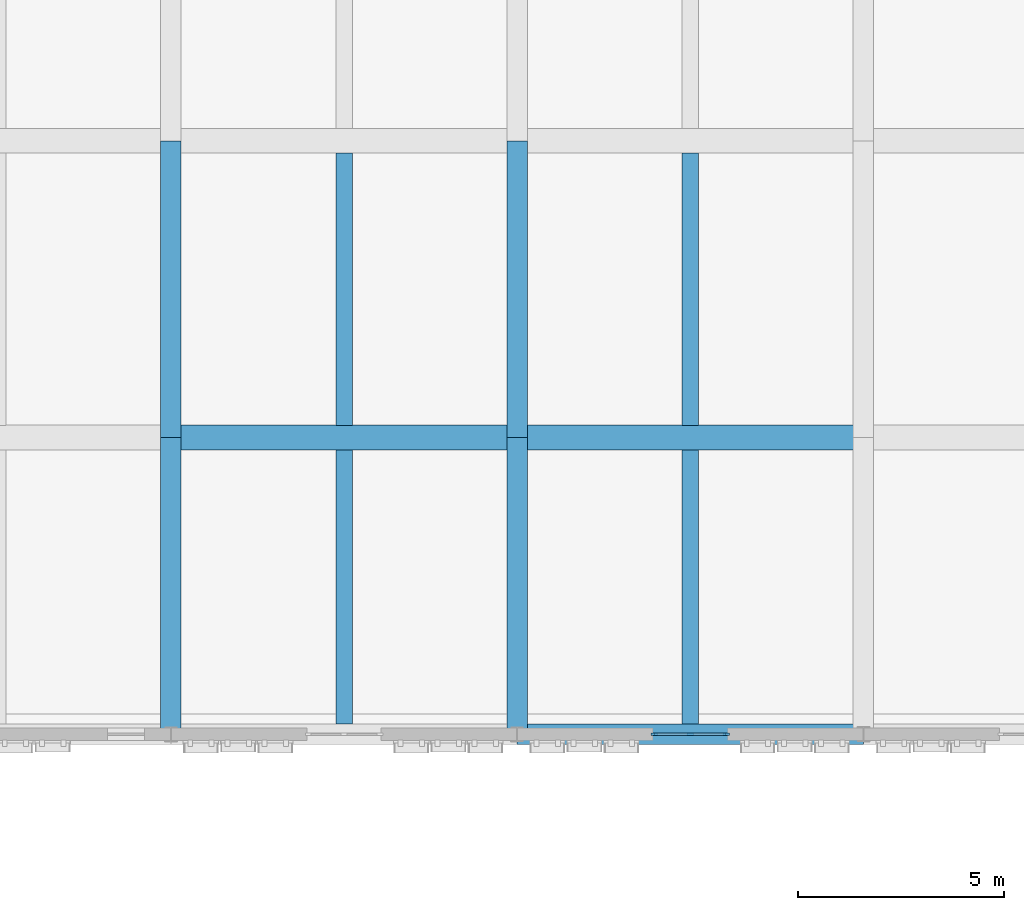
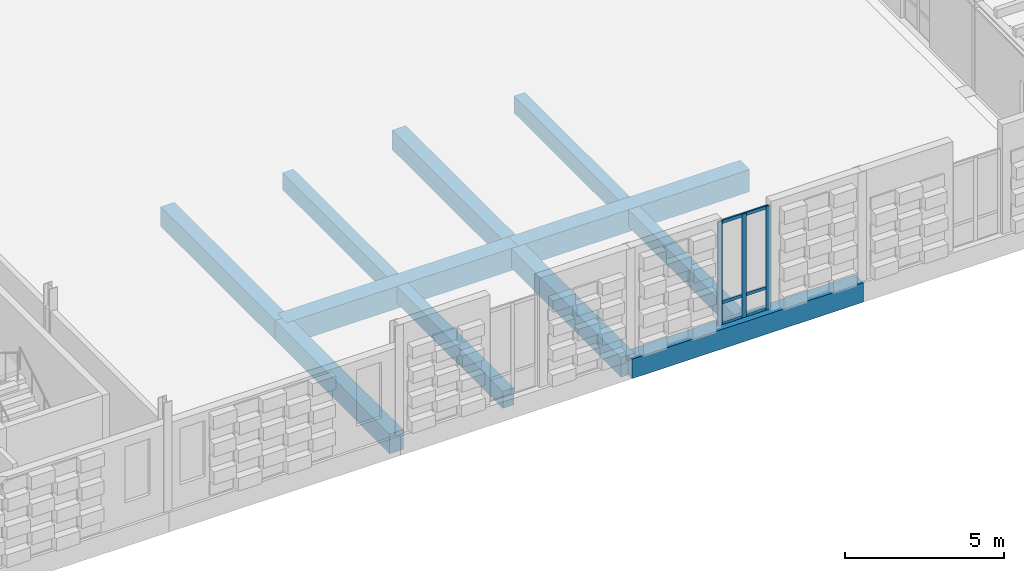
# One storey, part 11 of 99: 11 beams, 6 members, 1 element without a shape of its own.
"""IFC4 building model written with IfcOpenShell, lengths in metres."""

from ifc_helpers import new_model, si_unit, direction, frame, origin, origin_2d, place, context, subcontext, project, spatial, rectangle, extrude, material, material_profile, profile_set, type_object, element, aggregate, save


model = new_model("IFC4")

# Units and contexts
model_context = context("Model", 3, precision=1e-05, world=origin(), true_north=direction((0.0, 1.0)))
body_context = subcontext(model_context, "Body", "Model", "MODEL_VIEW")
ifc_project = project(units=[si_unit("LENGTHUNIT", "METRE"), si_unit("AREAUNIT", "SQUARE_METRE"), si_unit("VOLUMEUNIT", "CUBIC_METRE"), si_unit("PLANEANGLEUNIT", "RADIAN"), si_unit("MASSUNIT", "GRAM", prefix="KILO")], contexts=[model_context])

# Site, building, storey
site_placement = place(None, origin())
site = spatial("IfcSite", under=ifc_project, at=site_placement, CompositionType="ELEMENT")
building_placement = place(site_placement, origin())
building = spatial("IfcBuilding", under=site, at=building_placement, Name="Kahlenmark Community Centre", CompositionType="ELEMENT")
storey_placement = place(building_placement, frame((0.0, 0.0, 5.39990234375)))
storey = spatial("IfcBuildingStorey", under=building, at=storey_placement, Name="L01", CompositionType="ELEMENT", Elevation=5.39990234375)

# Beams
ifc_material_1 = material(Name="Concrete C35/45", Category="concrete")
ifc_material_profile_1 = material_profile(ifc_material_1, rectangle(XDim=0.5, YDim=0.75, at=origin_2d()), Name="RC 500x750")
ifc_profile_set_1 = profile_set([ifc_material_profile_1], Name="Concrete C35/45")
beam_type_1 = type_object("IfcBeamType", Name="BT-BEAM-RC500x750", PredefinedType="BEAM", material=ifc_profile_set_1)
for number, where, z_axis, x_axis, name in (
    (1, (20.800048828125, 8.800048828125, -0.375), (0.0, 1.0, 0.0), (-1.0, 0.0, 0.0), "L01 beam BG-RC500x750"),
    (2, (20.800048828125, 16.0, -0.375), (0.0, 1.0, 0.0), (-1.0, 0.0, 0.0), "L01 beam BG-RC500x750"),
    (3, (29.199951171875, 8.800048828125, -0.375), (0.0, 1.0, 0.0), (-1.0, 0.0, 0.0), "L01 beam BG-RC500x750"),
    (4, (29.199951171875, 16.0, -0.375), (0.0, 1.0, 0.0), (-1.0, 0.0, 0.0), "L01 beam BG-RC500x750"),
):
    element("IfcBeam", number, at=place(storey_placement, frame(where, z_axis=z_axis, x_axis=x_axis)), inside=storey, type_object=beam_type_1, Name=name, PredefinedType="BEAM", context=body_context, shape_type="SweptSolid", body=[
        extrude(rectangle(XDim=0.5, YDim=0.75, at=origin_2d()), origin(), (0.0, 0.0, 1.0), 7.199951171875),
    ])
ifc_material_profile_2 = material_profile(ifc_material_1, rectangle(XDim=0.60009765625, YDim=0.85009765625, at=origin_2d()), Name="RC 600x850")
ifc_profile_set_2 = profile_set([ifc_material_profile_2], Name="Concrete C35/45")
beam_type_2 = type_object("IfcBeamType", Name="BT-BEAM-RC600x850", PredefinedType="BEAM", material=ifc_profile_set_2)
beam_1_placement = place(storey_placement, frame((20.800048828125, 16.0, -0.4248046875), z_axis=(1.0, 0.0, 0.0), x_axis=(0.0, 1.0, 0.0)))
element("IfcBeam", 5, at=beam_1_placement, inside=storey, type_object=beam_type_2, Name="L01 beam BG-RC600x850", PredefinedType="BEAM", context=body_context, shape_type="SweptSolid", body=[
    extrude(rectangle(XDim=0.60009765625, YDim=0.85009765625, at=origin_2d()), origin(), (0.0, 0.0, 1.0), 8.39990234375),
])
beam_2_placement = place(storey_placement, frame((29.199951171875, 16.0, -0.4248046875), z_axis=(1.0, 0.0, 0.0), x_axis=(0.0, 1.0, 0.0)))
element("IfcBeam", 6, at=beam_2_placement, inside=storey, type_object=beam_type_2, Name="L01 beam BG-RC600x850", PredefinedType="BEAM", context=body_context, shape_type="SweptSolid", body=[
    extrude(rectangle(XDim=0.60009765625, YDim=0.85009765625, at=origin_2d()), origin(), (0.0, 0.0, 1.0), 8.400146484375),
])
ifc_material_profile_3 = material_profile(ifc_material_1, rectangle(XDim=0.39990234375, YDim=0.64990234375, at=origin_2d()), Name="RC 400x650")
ifc_profile_set_3 = profile_set([ifc_material_profile_3], Name="Concrete C35/45")
beam_type_3 = type_object("IfcBeamType", Name="BT-JOIST-RC400x650", PredefinedType="JOIST", material=ifc_profile_set_3)
beam_3_placement = place(storey_placement, frame((25.0, 9.048095703125, -0.324951171875), z_axis=(0.0, 1.0, 0.0), x_axis=(-1.0, 0.0, 0.0)))
element("IfcBeam", 7, at=beam_3_placement, inside=storey, type_object=beam_type_3, Name="L01 joist BJ-RC400x650", PredefinedType="JOIST", context=body_context, shape_type="SweptSolid", body=[
    extrude(rectangle(XDim=0.39990234375, YDim=0.64990234375, at=origin_2d()), origin(), (0.0, 0.0, 1.0), 6.65380859375),
])
beam_4_placement = place(storey_placement, frame((25.0, 16.298095703125, -0.324951171875), z_axis=(0.0, 1.0, 0.0), x_axis=(-1.0, 0.0, 0.0)))
element("IfcBeam", 8, at=beam_4_placement, inside=storey, type_object=beam_type_3, Name="L01 joist BJ-RC400x650", PredefinedType="JOIST", context=body_context, shape_type="SweptSolid", body=[
    extrude(rectangle(XDim=0.39990234375, YDim=0.64990234375, at=origin_2d()), origin(), (0.0, 0.0, 1.0), 6.60400390625),
])
beam_5_placement = place(storey_placement, frame((33.39990234375, 9.048095703125, -0.324951171875), z_axis=(0.0, 1.0, 0.0), x_axis=(-1.0, 0.0, 0.0)))
element("IfcBeam", 9, at=beam_5_placement, inside=storey, type_object=beam_type_3, Name="L01 joist BJ-RC400x650", PredefinedType="JOIST", context=body_context, shape_type="SweptSolid", body=[
    extrude(rectangle(XDim=0.39990234375, YDim=0.64990234375, at=origin_2d()), origin(), (0.0, 0.0, 1.0), 6.65380859375),
])
beam_6_placement = place(storey_placement, frame((33.39990234375, 16.298095703125, -0.324951171875), z_axis=(0.0, 1.0, 0.0), x_axis=(-1.0, 0.0, 0.0)))
element("IfcBeam", 10, at=beam_6_placement, inside=storey, type_object=beam_type_3, Name="L01 joist BJ-RC400x650", PredefinedType="JOIST", context=body_context, shape_type="SweptSolid", body=[
    extrude(rectangle(XDim=0.39990234375, YDim=0.64990234375, at=origin_2d()), origin(), (0.0, 0.0, 1.0), 6.60400390625),
])
ifc_material_profile_4 = material_profile(ifc_material_1, rectangle(XDim=0.5, YDim=0.75, at=origin_2d()), Name="RC 500x750")
ifc_profile_set_4 = profile_set([ifc_material_profile_4], Name="Concrete C35/45")
beam_type_4 = type_object("IfcBeamType", Name="BT-SPANDREL-RC500x750", PredefinedType="SPANDREL", material=ifc_profile_set_4)
beam_7_placement = place(storey_placement, frame((29.199951171875, 8.800048828125, -0.375), z_axis=(1.0, 0.0, 0.0), x_axis=(0.0, 1.0, 0.0)))
element("IfcBeam", 11, at=beam_7_placement, inside=storey, type_object=beam_type_4, Name="L01 spandrel SP-RC500x750", PredefinedType="SPANDREL", context=body_context, shape_type="SweptSolid", body=[
    extrude(rectangle(XDim=0.5, YDim=0.75, at=origin_2d()), origin(), (0.0, 0.0, 1.0), 8.400146484375),
])

# Curtain wall, members
ifc_material_2 = material(Name="Anodised aluminium unitised curtain wall", Category="aluminium")
curtain_wall_type = type_object("IfcCurtainWallType", Name="CWT-UNIT-180X398", PredefinedType="USERDEFINED", material=ifc_material_2)
curtain_wall_placement = place(storey_placement, origin())
curtain_wall = element("IfcCurtainWall", 12, at=curtain_wall_placement, inside=storey, type_object=curtain_wall_type, Name="Unitised curtain wall CW-002", ObjectType="UNITISED CURTAIN WALL", PredefinedType="USERDEFINED")
ifc_material_3 = material(Name="Anodised aluminium 6063-T6", Category="aluminium")
ifc_material_profile_5 = material_profile(ifc_material_3, rectangle(XDim=0.06005859375, YDim=0.159912109375, at=origin_2d()), Name="ALU MULLION 60x160")
ifc_profile_set_5 = profile_set([ifc_material_profile_5], Name="Anodised aluminium 6063-T6")
member_type_1 = type_object("IfcMemberType", Name="MT-MUL-160", PredefinedType="MULLION", material=ifc_profile_set_5)
member_1_placement = place(storey_placement, frame((32.530029296875, 8.800048828125, 0.0), z_axis=(0.0, 0.0, 1.0), x_axis=(0.0, 1.0, 0.0)))
member_1 = element("IfcMember", 13, at=member_1_placement, type_object=member_type_1, Name="CW-002 mullion 1", PredefinedType="MULLION", context=body_context, shape_type="SweptSolid", body=[
    extrude(rectangle(XDim=0.06005859375, YDim=0.159912109375, at=origin_2d()), origin(), (0.0, 0.0, 1.0), 3.97998046875),
])
member_2_placement = place(storey_placement, frame((33.39990234375, 8.800048828125, 0.0), z_axis=(0.0, 0.0, 1.0), x_axis=(0.0, 1.0, 0.0)))
member_2 = element("IfcMember", 14, at=member_2_placement, type_object=member_type_1, Name="CW-002 mullion 2", PredefinedType="MULLION", context=body_context, shape_type="SweptSolid", body=[
    extrude(rectangle(XDim=0.06005859375, YDim=0.159912109375, at=origin_2d()), origin(), (0.0, 0.0, 1.0), 3.97998046875),
])
member_3_placement = place(storey_placement, frame((34.27001953125, 8.800048828125, 0.0), z_axis=(0.0, 0.0, 1.0), x_axis=(0.0, 1.0, 0.0)))
member_3 = element("IfcMember", 15, at=member_3_placement, type_object=member_type_1, Name="CW-002 mullion 3", PredefinedType="MULLION", context=body_context, shape_type="SweptSolid", body=[
    extrude(rectangle(XDim=0.06005859375, YDim=0.159912109375, at=origin_2d()), origin(), (0.0, 0.0, 1.0), 3.97998046875),
])
ifc_material_profile_6 = material_profile(ifc_material_3, rectangle(XDim=0.06005859375, YDim=0.1201171875, at=origin_2d()), Name="ALU TRANSOM 60x120")
ifc_profile_set_6 = profile_set([ifc_material_profile_6], Name="Anodised aluminium 6063-T6")
member_type_2 = type_object("IfcMemberType", Name="MT-TRN-120", PredefinedType="USERDEFINED", material=ifc_profile_set_6)
member_4_placement = place(storey_placement, frame((32.530029296875, 8.800048828125, 0.0400390625), z_axis=(1.0, 0.0, 0.0), x_axis=(0.0, 1.0, 0.0)))
member_4 = element("IfcMember", 16, at=member_4_placement, type_object=member_type_2, Name="CW-002 transom 1", ObjectType="TRANSOM", PredefinedType="USERDEFINED", context=body_context, shape_type="SweptSolid", body=[
    extrude(rectangle(XDim=0.06005859375, YDim=0.1201171875, at=origin_2d()), origin(), (0.0, 0.0, 1.0), 1.739990234375),
])
member_5_placement = place(storey_placement, frame((32.530029296875, 8.800048828125, 0.85009765625), z_axis=(1.0, 0.0, 0.0), x_axis=(0.0, 1.0, 0.0)))
member_5 = element("IfcMember", 17, at=member_5_placement, type_object=member_type_2, Name="CW-002 transom 2", ObjectType="TRANSOM", PredefinedType="USERDEFINED", context=body_context, shape_type="SweptSolid", body=[
    extrude(rectangle(XDim=0.06005859375, YDim=0.1201171875, at=origin_2d()), origin(), (0.0, 0.0, 1.0), 1.739990234375),
])
member_6_placement = place(storey_placement, frame((32.530029296875, 8.800048828125, 3.940185546875), z_axis=(1.0, 0.0, 0.0), x_axis=(0.0, 1.0, 0.0)))
member_6 = element("IfcMember", 18, at=member_6_placement, type_object=member_type_2, Name="CW-002 transom 3", ObjectType="TRANSOM", PredefinedType="USERDEFINED", context=body_context, shape_type="SweptSolid", body=[
    extrude(rectangle(XDim=0.06005859375, YDim=0.1201171875, at=origin_2d()), origin(), (0.0, 0.0, 1.0), 1.739990234375),
])
aggregate(curtain_wall, [member_1, member_2, member_3, member_4, member_5, member_6])

save(model, "model.ifc")
